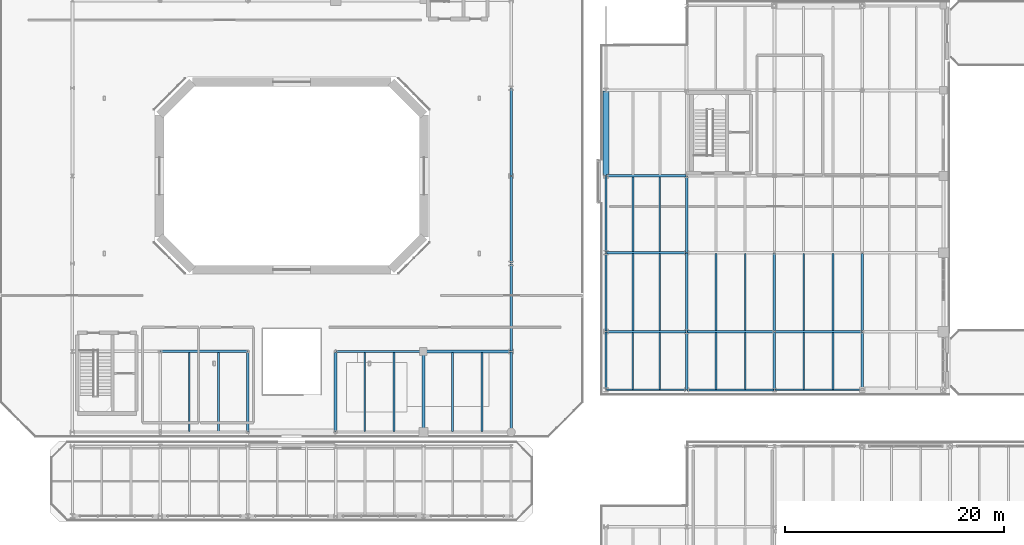
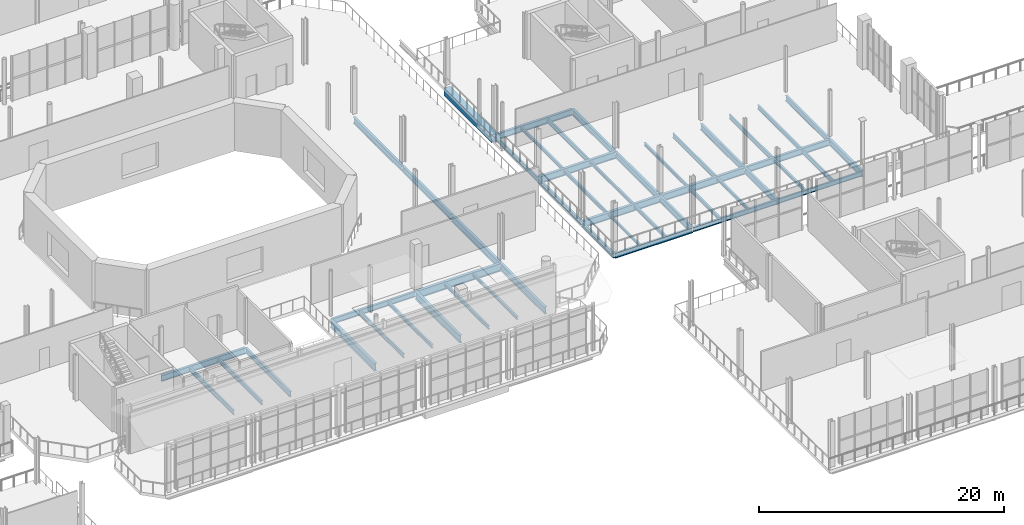
# One storey, part 40 of 93: 49 beams.
"""IFC4 building model written with IfcOpenShell, lengths in metres."""

from ifc_helpers import new_model, si_unit, direction, frame, origin, origin_2d, place, context, subcontext, project, spatial, rectangle, i_section, extrude, material, material_profile, profile_set, type_object, element, save


model = new_model("IFC4")

# Units and contexts
model_context = context("Model", 3, precision=1e-05, world=origin(), true_north=direction((0.0, 1.0)))
body_context = subcontext(model_context, "Body", "Model", "MODEL_VIEW")
ifc_project = project(units=[si_unit("LENGTHUNIT", "METRE"), si_unit("AREAUNIT", "SQUARE_METRE"), si_unit("VOLUMEUNIT", "CUBIC_METRE"), si_unit("PLANEANGLEUNIT", "RADIAN"), si_unit("MASSUNIT", "GRAM", prefix="KILO")], contexts=[model_context])

# Site, building, storey
site_placement = place(None, origin())
site = spatial("IfcSite", under=ifc_project, at=site_placement, CompositionType="ELEMENT")
building_placement = place(site_placement, origin())
building = spatial("IfcBuilding", under=site, at=building_placement, Name="Brisemont Oceanarium", CompositionType="ELEMENT")
storey_placement = place(building_placement, frame((0.0, 0.0, 5.39990234375)))
storey = spatial("IfcBuildingStorey", under=building, at=storey_placement, Name="L01", CompositionType="ELEMENT", Elevation=5.39990234375)

# Beams
ifc_material_1 = material(Name="Concrete C40/50", Category="concrete")
ifc_material_profile_1 = material_profile(ifc_material_1, rectangle(XDim=0.550048828125, YDim=0.800048828125, at=origin_2d()), Name="RC-BM-550X800")
ifc_profile_set_1 = profile_set([ifc_material_profile_1], Name="Concrete C40/50")
beam_type_1 = type_object("IfcBeamType", Name="BM-RC550X800", PredefinedType="SPANDREL", material=ifc_profile_set_1)
beam_1_placement = place(storey_placement, frame((112.64990234375, 56.0400390625, -0.699951171875), z_axis=(0.0, 1.0, 0.0), x_axis=(-1.0, 0.0, 0.0)))
element("IfcBeam", 1, at=beam_1_placement, inside=storey, type_object=beam_type_1, Name="V5E L01 NS girder", PredefinedType="SPANDREL", context=body_context, shape_type="SweptSolid", body=[
    extrude(rectangle(XDim=0.550048828125, YDim=0.800048828125, at=origin_2d()), origin(), (0.0, 0.0, 1.0), 7.719970703125),
])
ifc_material_2 = material(Name="Structural Steel ASTM A992 Gr.50", Category="steel")
ifc_material_profile_2 = material_profile(ifc_material_2, i_section(OverallWidth=0.14599609375, OverallDepth=0.259033203125, WebThickness=0.006103515625, FlangeThickness=0.009033203125, FilletRadius=0.008056640625, at=origin_2d()), Name="W10X22")
ifc_profile_set_2 = profile_set([ifc_material_profile_2], Name="Structural Steel ASTM A992 Gr.50")
beam_type_2 = type_object("IfcBeamType", Name="BM-W10X22", PredefinedType="LINTEL", material=ifc_profile_set_2)
beam_2_placement = place(storey_placement, frame((115.10009765625, 36.5400390625, -0.429443359375), z_axis=(0.0, 1.0, 0.0), x_axis=(-1.0, 0.0, 0.0)))
element("IfcBeam", 2, at=beam_2_placement, inside=storey, type_object=beam_type_2, Name="V5E L01 secondary floor beam", PredefinedType="LINTEL", context=body_context, shape_type="SweptSolid", body=[
    extrude(i_section(OverallWidth=0.14599609375, OverallDepth=0.259033203125, WebThickness=0.006103515625, FlangeThickness=0.009033203125, FilletRadius=0.008056640625, at=origin_2d()), origin(), (0.0, 0.0, 1.0), 5.169921875),
])
ifc_material_3 = material(Name="Structural Steel ASTM A992 Gr.50", Category="steel")
ifc_material_profile_3 = material_profile(ifc_material_3, i_section(OverallWidth=0.1650390625, OverallDepth=0.31005859375, WebThickness=0.005859375, FlangeThickness=0.009765625, FilletRadius=0.008056640625, at=origin_2d()), Name="W12X26")
ifc_profile_set_3 = profile_set([ifc_material_profile_3], Name="Structural Steel ASTM A992 Gr.50")
beam_type_3 = type_object("IfcBeamType", Name="BM-W12X26", PredefinedType="JOIST", material=ifc_profile_set_3)
beam_3_placement = place(storey_placement, frame((101.333251953125, 32.68994140625, -0.494873046875), z_axis=(0.0, 1.0, 0.0), x_axis=(-1.0, 0.0, 0.0)))
element("IfcBeam", 3, at=beam_3_placement, inside=storey, type_object=beam_type_3, Name="V1 L01 secondary floor beam", PredefinedType="JOIST", context=body_context, shape_type="SweptSolid", body=[
    extrude(i_section(OverallWidth=0.1650390625, OverallDepth=0.31005859375, WebThickness=0.005859375, FlangeThickness=0.009765625, FilletRadius=0.008056640625, at=origin_2d()), origin(), (0.0, 0.0, 1.0), 7.219970703125),
])
beam_4_placement = place(storey_placement, frame((117.550048828125, 41.889892578125, -0.454833984375), z_axis=(0.0, 1.0, 0.0), x_axis=(-1.0, 0.0, 0.0)))
element("IfcBeam", 4, at=beam_4_placement, inside=storey, type_object=beam_type_3, Name="V5E L01 secondary floor beam", PredefinedType="JOIST", context=body_context, shape_type="SweptSolid", body=[
    extrude(i_section(OverallWidth=0.1650390625, OverallDepth=0.31005859375, WebThickness=0.005859375, FlangeThickness=0.009765625, FilletRadius=0.008056640625, at=origin_2d()), origin(), (0.0, 0.0, 1.0), 7.02001953125),
])
beam_5_placement = place(storey_placement, frame((115.10009765625, 49.090087890625, -0.454833984375), z_axis=(0.0, 1.0, 0.0), x_axis=(-1.0, 0.0, 0.0)))
element("IfcBeam", 5, at=beam_5_placement, inside=storey, type_object=beam_type_3, Name="V5E L01 secondary floor beam", PredefinedType="JOIST", context=body_context, shape_type="SweptSolid", body=[
    extrude(i_section(OverallWidth=0.1650390625, OverallDepth=0.31005859375, WebThickness=0.005859375, FlangeThickness=0.009765625, FilletRadius=0.008056640625, at=origin_2d()), origin(), (0.0, 0.0, 1.0), 6.81982421875),
])
beam_6_placement = place(storey_placement, frame((125.333251953125, 36.5400390625, -0.454833984375), z_axis=(0.0, 1.0, 0.0), x_axis=(-1.0, 0.0, 0.0)))
element("IfcBeam", 6, at=beam_6_placement, inside=storey, type_object=beam_type_3, Name="V5E L01 secondary floor beam", PredefinedType="JOIST", context=body_context, shape_type="SweptSolid", body=[
    extrude(i_section(OverallWidth=0.1650390625, OverallDepth=0.31005859375, WebThickness=0.005859375, FlangeThickness=0.009765625, FilletRadius=0.008056640625, at=origin_2d()), origin(), (0.0, 0.0, 1.0), 5.169921875),
])
beam_7_placement = place(storey_placement, frame((122.666748046875, 41.889892578125, -0.454833984375), z_axis=(0.0, 1.0, 0.0), x_axis=(-1.0, 0.0, 0.0)))
element("IfcBeam", 7, at=beam_7_placement, inside=storey, type_object=beam_type_3, Name="V5E L01 secondary floor beam", PredefinedType="JOIST", context=body_context, shape_type="SweptSolid", body=[
    extrude(i_section(OverallWidth=0.1650390625, OverallDepth=0.31005859375, WebThickness=0.005859375, FlangeThickness=0.009765625, FilletRadius=0.008056640625, at=origin_2d()), origin(), (0.0, 0.0, 1.0), 7.02001953125),
])
beam_8_placement = place(storey_placement, frame((130.666748046875, 36.5400390625, -0.454833984375), z_axis=(0.0, 1.0, 0.0), x_axis=(-1.0, 0.0, 0.0)))
element("IfcBeam", 8, at=beam_8_placement, inside=storey, type_object=beam_type_3, Name="V5E L01 secondary floor beam", PredefinedType="JOIST", context=body_context, shape_type="SweptSolid", body=[
    extrude(i_section(OverallWidth=0.1650390625, OverallDepth=0.31005859375, WebThickness=0.005859375, FlangeThickness=0.009765625, FilletRadius=0.008056640625, at=origin_2d()), origin(), (0.0, 0.0, 1.0), 5.169921875),
])
ifc_material_4 = material(Name="Structural Steel ASTM A992 Gr.50", Category="steel")
ifc_material_profile_4 = material_profile(ifc_material_4, i_section(OverallWidth=0.1708984375, OverallDepth=0.35107421875, WebThickness=0.0068359375, FlangeThickness=0.009765625, FilletRadius=0.010009765625, at=origin_2d()), Name="W14X30")
ifc_profile_set_4 = profile_set([ifc_material_profile_4], Name="Structural Steel ASTM A992 Gr.50")
beam_type_4 = type_object("IfcBeamType", Name="BM-W14X30", PredefinedType="JOIST", material=ifc_profile_set_4)
for number, where, z_axis, x_axis, name in (
    (9, (93.333251953125, 32.68994140625, -0.515380859375), (0.0, 1.0, 0.0), (-1.0, 0.0, 0.0), "V1 L01 secondary floor beam"),
    (10, (98.666748046875, 32.68994140625, -0.515380859375), (0.0, 1.0, 0.0), (-1.0, 0.0, 0.0), "V1 L01 secondary floor beam"),
):
    element("IfcBeam", number, at=place(storey_placement, frame(where, z_axis=z_axis, x_axis=x_axis)), inside=storey, type_object=beam_type_4, Name=name, PredefinedType="JOIST", context=body_context, shape_type="SweptSolid", body=[
        extrude(i_section(OverallWidth=0.1708984375, OverallDepth=0.35107421875, WebThickness=0.0068359375, FlangeThickness=0.009765625, FilletRadius=0.010009765625, at=origin_2d()), origin(), (0.0, 0.0, 1.0), 7.219970703125),
    ])
beam_9_placement = place(storey_placement, frame((117.550048828125, 36.5400390625, -0.475341796875), z_axis=(0.0, 1.0, 0.0), x_axis=(-1.0, 0.0, 0.0)))
element("IfcBeam", 11, at=beam_9_placement, inside=storey, type_object=beam_type_4, Name="V5E L01 secondary floor beam", PredefinedType="JOIST", context=body_context, shape_type="SweptSolid", body=[
    extrude(i_section(OverallWidth=0.1708984375, OverallDepth=0.35107421875, WebThickness=0.0068359375, FlangeThickness=0.009765625, FilletRadius=0.010009765625, at=origin_2d()), origin(), (0.0, 0.0, 1.0), 5.169921875),
])
beam_10_placement = place(storey_placement, frame((115.10009765625, 41.889892578125, -0.475341796875), z_axis=(0.0, 1.0, 0.0), x_axis=(-1.0, 0.0, 0.0)))
element("IfcBeam", 12, at=beam_10_placement, inside=storey, type_object=beam_type_4, Name="V5E L01 secondary floor beam", PredefinedType="JOIST", context=body_context, shape_type="SweptSolid", body=[
    extrude(i_section(OverallWidth=0.1708984375, OverallDepth=0.35107421875, WebThickness=0.0068359375, FlangeThickness=0.009765625, FilletRadius=0.010009765625, at=origin_2d()), origin(), (0.0, 0.0, 1.0), 7.02001953125),
])
beam_11_placement = place(storey_placement, frame((122.666748046875, 36.5400390625, -0.475341796875), z_axis=(0.0, 1.0, 0.0), x_axis=(-1.0, 0.0, 0.0)))
element("IfcBeam", 13, at=beam_11_placement, inside=storey, type_object=beam_type_4, Name="V5E L01 secondary floor beam", PredefinedType="JOIST", context=body_context, shape_type="SweptSolid", body=[
    extrude(i_section(OverallWidth=0.1708984375, OverallDepth=0.35107421875, WebThickness=0.0068359375, FlangeThickness=0.009765625, FilletRadius=0.010009765625, at=origin_2d()), origin(), (0.0, 0.0, 1.0), 5.169921875),
])
ifc_material_5 = material(Name="Structural Steel ASTM A992 Gr.50", Category="steel")
ifc_material_profile_5 = material_profile(ifc_material_5, i_section(OverallWidth=0.139892578125, OverallDepth=0.39892578125, WebThickness=0.00634765625, FlangeThickness=0.0087890625, FilletRadius=0.010009765625, at=origin_2d()), Name="W16X26")
ifc_profile_set_5 = profile_set([ifc_material_profile_5], Name="Structural Steel ASTM A992 Gr.50")
beam_type_5 = type_object("IfcBeamType", Name="BM-W16X26", PredefinedType="JOIST", material=ifc_profile_set_5)
beam_12_placement = place(storey_placement, frame((90.666748046875, 32.68994140625, -0.539306640625), z_axis=(0.0, 1.0, 0.0), x_axis=(-1.0, 0.0, 0.0)))
element("IfcBeam", 14, at=beam_12_placement, inside=storey, type_object=beam_type_5, Name="V1 L01 secondary floor beam", PredefinedType="JOIST", context=body_context, shape_type="SweptSolid", body=[
    extrude(i_section(OverallWidth=0.139892578125, OverallDepth=0.39892578125, WebThickness=0.00634765625, FlangeThickness=0.0087890625, FilletRadius=0.010009765625, at=origin_2d()), origin(), (0.0, 0.0, 1.0), 7.219970703125),
])
ifc_material_6 = material(Name="Structural Steel ASTM A992 Gr.50", Category="steel")
ifc_material_profile_6 = material_profile(ifc_material_6, i_section(OverallWidth=0.177978515625, OverallDepth=0.404052734375, WebThickness=0.007568359375, FlangeThickness=0.010986328125, FilletRadius=0.010009765625, at=origin_2d()), Name="W16X36")
ifc_profile_set_6 = profile_set([ifc_material_profile_6], Name="Structural Steel ASTM A992 Gr.50")
beam_type_6 = type_object("IfcBeamType", Name="BM-W16X36", PredefinedType="JOIST", material=ifc_profile_set_6)
beam_13_placement = place(storey_placement, frame((77.333251953125, 32.68994140625, -0.5419921875), z_axis=(0.0, 1.0, 0.0), x_axis=(-1.0, 0.0, 0.0)))
element("IfcBeam", 15, at=beam_13_placement, inside=storey, type_object=beam_type_6, Name="V1 L01 secondary floor beam", PredefinedType="JOIST", context=body_context, shape_type="SweptSolid", body=[
    extrude(i_section(OverallWidth=0.177978515625, OverallDepth=0.404052734375, WebThickness=0.007568359375, FlangeThickness=0.010986328125, FilletRadius=0.010009765625, at=origin_2d()), origin(), (0.0, 0.0, 1.0), 7.219970703125),
])
beam_14_placement = place(storey_placement, frame((133.333251953125, 41.889892578125, -0.501953125), z_axis=(0.0, 1.0, 0.0), x_axis=(-1.0, 0.0, 0.0)))
element("IfcBeam", 16, at=beam_14_placement, inside=storey, type_object=beam_type_6, Name="V5E L01 secondary floor beam", PredefinedType="JOIST", context=body_context, shape_type="SweptSolid", body=[
    extrude(i_section(OverallWidth=0.177978515625, OverallDepth=0.404052734375, WebThickness=0.007568359375, FlangeThickness=0.010986328125, FilletRadius=0.010009765625, at=origin_2d()), origin(), (0.0, 0.0, 1.0), 7.02001953125),
])
ifc_material_7 = material(Name="Structural Steel ASTM A992 Gr.50", Category="steel")
ifc_material_profile_7 = material_profile(ifc_material_7, i_section(OverallWidth=0.153076171875, OverallDepth=0.455078125, WebThickness=0.008056640625, FlangeThickness=0.01318359375, FilletRadius=0.010986328125, at=origin_2d()), Name="W18X40")
ifc_profile_set_7 = profile_set([ifc_material_profile_7], Name="Structural Steel ASTM A992 Gr.50")
beam_type_7 = type_object("IfcBeamType", Name="BM-W18X40", PredefinedType="JOIST", material=ifc_profile_set_7)
beam_15_placement = place(storey_placement, frame((74.666748046875, 32.68994140625, -0.5673828125), z_axis=(0.0, 1.0, 0.0), x_axis=(-1.0, 0.0, 0.0)))
element("IfcBeam", 17, at=beam_15_placement, inside=storey, type_object=beam_type_7, Name="V1 L01 secondary floor beam", PredefinedType="JOIST", context=body_context, shape_type="SweptSolid", body=[
    extrude(i_section(OverallWidth=0.153076171875, OverallDepth=0.455078125, WebThickness=0.008056640625, FlangeThickness=0.01318359375, FilletRadius=0.010986328125, at=origin_2d()), origin(), (0.0, 0.0, 1.0), 7.219970703125),
])
beam_16_placement = place(storey_placement, frame((117.550048828125, 49.090087890625, -0.52734375), z_axis=(0.0, 1.0, 0.0), x_axis=(-1.0, 0.0, 0.0)))
element("IfcBeam", 18, at=beam_16_placement, inside=storey, type_object=beam_type_7, Name="V5E L01 secondary floor beam", PredefinedType="JOIST", context=body_context, shape_type="SweptSolid", body=[
    extrude(i_section(OverallWidth=0.153076171875, OverallDepth=0.455078125, WebThickness=0.008056640625, FlangeThickness=0.01318359375, FilletRadius=0.010986328125, at=origin_2d()), origin(), (0.0, 0.0, 1.0), 6.81982421875),
])
beam_17_placement = place(storey_placement, frame((125.333251953125, 41.889892578125, -0.52734375), z_axis=(0.0, 1.0, 0.0), x_axis=(-1.0, 0.0, 0.0)))
element("IfcBeam", 19, at=beam_17_placement, inside=storey, type_object=beam_type_7, Name="V5E L01 secondary floor beam", PredefinedType="JOIST", context=body_context, shape_type="SweptSolid", body=[
    extrude(i_section(OverallWidth=0.153076171875, OverallDepth=0.455078125, WebThickness=0.008056640625, FlangeThickness=0.01318359375, FilletRadius=0.010986328125, at=origin_2d()), origin(), (0.0, 0.0, 1.0), 7.02001953125),
])
beam_18_placement = place(storey_placement, frame((133.333251953125, 36.5400390625, -0.52734375), z_axis=(0.0, 1.0, 0.0), x_axis=(-1.0, 0.0, 0.0)))
element("IfcBeam", 20, at=beam_18_placement, inside=storey, type_object=beam_type_7, Name="V5E L01 secondary floor beam", PredefinedType="JOIST", context=body_context, shape_type="SweptSolid", body=[
    extrude(i_section(OverallWidth=0.153076171875, OverallDepth=0.455078125, WebThickness=0.008056640625, FlangeThickness=0.01318359375, FilletRadius=0.010986328125, at=origin_2d()), origin(), (0.0, 0.0, 1.0), 5.169921875),
])
beam_19_placement = place(storey_placement, frame((130.666748046875, 41.889892578125, -0.52734375), z_axis=(0.0, 1.0, 0.0), x_axis=(-1.0, 0.0, 0.0)))
element("IfcBeam", 21, at=beam_19_placement, inside=storey, type_object=beam_type_7, Name="V5E L01 secondary floor beam", PredefinedType="JOIST", context=body_context, shape_type="SweptSolid", body=[
    extrude(i_section(OverallWidth=0.153076171875, OverallDepth=0.455078125, WebThickness=0.008056640625, FlangeThickness=0.01318359375, FilletRadius=0.010986328125, at=origin_2d()), origin(), (0.0, 0.0, 1.0), 7.02001953125),
])
ifc_material_8 = material(Name="Structural Steel ASTM A992 Gr.50", Category="steel")
ifc_material_profile_8 = material_profile(ifc_material_8, i_section(OverallWidth=0.154052734375, OverallDepth=0.458984375, WebThickness=0.009033203125, FlangeThickness=0.015380859375, FilletRadius=0.010986328125, at=origin_2d()), Name="W18X46")
ifc_profile_set_8 = profile_set([ifc_material_profile_8], Name="Structural Steel ASTM A992 Gr.50")
beam_type_8 = type_object("IfcBeamType", Name="BM-W18X46", PredefinedType="SPANDREL", material=ifc_profile_set_8)
beam_20_placement = place(storey_placement, frame((128.0400390625, 36.5, -0.529296875), z_axis=(1.0, 0.0, 0.0), x_axis=(0.0, 1.0, 0.0)))
element("IfcBeam", 22, at=beam_20_placement, inside=storey, type_object=beam_type_8, Name="V5E L01 EW girder", PredefinedType="SPANDREL", context=body_context, shape_type="SweptSolid", body=[
    extrude(i_section(OverallWidth=0.154052734375, OverallDepth=0.458984375, WebThickness=0.009033203125, FlangeThickness=0.015380859375, FilletRadius=0.010986328125, at=origin_2d()), origin(), (0.0, 0.0, 1.0), 7.919921875),
])
beam_21_placement = place(storey_placement, frame((112.64990234375, 49.0400390625, -0.529296875), z_axis=(0.0, 1.0, 0.0), x_axis=(-1.0, 0.0, 0.0)))
element("IfcBeam", 23, at=beam_21_placement, inside=storey, type_object=beam_type_8, Name="V5E L01 NS girder", PredefinedType="SPANDREL", context=body_context, shape_type="SweptSolid", body=[
    extrude(i_section(OverallWidth=0.154052734375, OverallDepth=0.458984375, WebThickness=0.009033203125, FlangeThickness=0.015380859375, FilletRadius=0.010986328125, at=origin_2d()), origin(), (0.0, 0.0, 1.0), 6.919921875),
])
ifc_material_9 = material(Name="Structural Steel ASTM A992 Gr.50", Category="steel")
ifc_material_profile_9 = material_profile(ifc_material_9, i_section(OverallWidth=0.19091796875, OverallDepth=0.4599609375, WebThickness=0.010009765625, FlangeThickness=0.01611328125, FilletRadius=0.010986328125, at=origin_2d()), Name="W18X55")
ifc_profile_set_9 = profile_set([ifc_material_profile_9], Name="Structural Steel ASTM A992 Gr.50")
beam_type_9 = type_object("IfcBeamType", Name="BM-W18X55", PredefinedType="SPANDREL", material=ifc_profile_set_9)
beam_22_placement = place(storey_placement, frame((120.0400390625, 36.5, -0.52978515625), z_axis=(1.0, 0.0, 0.0), x_axis=(0.0, 1.0, 0.0)))
element("IfcBeam", 24, at=beam_22_placement, inside=storey, type_object=beam_type_9, Name="V5E L01 EW girder", PredefinedType="SPANDREL", context=body_context, shape_type="SweptSolid", body=[
    extrude(i_section(OverallWidth=0.19091796875, OverallDepth=0.4599609375, WebThickness=0.010009765625, FlangeThickness=0.01611328125, FilletRadius=0.010986328125, at=origin_2d()), origin(), (0.0, 0.0, 1.0), 7.919921875),
])
beam_23_placement = place(storey_placement, frame((112.64990234375, 41.840087890625, -0.52978515625), z_axis=(0.0, 1.0, 0.0), x_axis=(-1.0, 0.0, 0.0)))
element("IfcBeam", 25, at=beam_23_placement, inside=storey, type_object=beam_type_9, Name="V5E L01 NS girder", PredefinedType="SPANDREL", context=body_context, shape_type="SweptSolid", body=[
    extrude(i_section(OverallWidth=0.19091796875, OverallDepth=0.4599609375, WebThickness=0.010009765625, FlangeThickness=0.01611328125, FilletRadius=0.010986328125, at=origin_2d()), origin(), (0.0, 0.0, 1.0), 7.119873046875),
])
ifc_material_10 = material(Name="Structural Steel ASTM A992 Gr.50", Category="steel")
ifc_material_profile_10 = material_profile(ifc_material_10, i_section(OverallWidth=0.166015625, OverallDepth=0.528076171875, WebThickness=0.009765625, FlangeThickness=0.013671875, FilletRadius=0.012939453125, at=origin_2d()), Name="W21X50")
ifc_profile_set_10 = profile_set([ifc_material_profile_10], Name="Structural Steel ASTM A992 Gr.50")
beam_type_10 = type_object("IfcBeamType", Name="BM-W21X50", PredefinedType="SPANDREL", material=ifc_profile_set_10)
beam_24_placement = place(storey_placement, frame((112.68994140625, 36.5, -0.56396484375), z_axis=(1.0, 0.0, 0.0), x_axis=(0.0, 1.0, 0.0)))
element("IfcBeam", 26, at=beam_24_placement, inside=storey, type_object=beam_type_10, Name="V5E L01 EW girder", PredefinedType="SPANDREL", context=body_context, shape_type="SweptSolid", body=[
    extrude(i_section(OverallWidth=0.166015625, OverallDepth=0.528076171875, WebThickness=0.009765625, FlangeThickness=0.013671875, FilletRadius=0.012939453125, at=origin_2d()), origin(), (0.0, 0.0, 1.0), 7.27001953125),
])
beam_25_placement = place(storey_placement, frame((112.64990234375, 36.5400390625, -0.56396484375), z_axis=(0.0, 1.0, 0.0), x_axis=(-1.0, 0.0, 0.0)))
element("IfcBeam", 27, at=beam_25_placement, inside=storey, type_object=beam_type_10, Name="V5E L01 NS girder", PredefinedType="SPANDREL", context=body_context, shape_type="SweptSolid", body=[
    extrude(i_section(OverallWidth=0.166015625, OverallDepth=0.528076171875, WebThickness=0.009765625, FlangeThickness=0.013671875, FilletRadius=0.012939453125, at=origin_2d()), origin(), (0.0, 0.0, 1.0), 5.219970703125),
])
ifc_material_11 = material(Name="Structural Steel ASTM A992 Gr.50", Category="steel")
ifc_material_profile_11 = material_profile(ifc_material_11, i_section(OverallWidth=0.2099609375, OverallDepth=0.532958984375, WebThickness=0.01025390625, FlangeThickness=0.015625, FilletRadius=0.012939453125, at=origin_2d()), Name="W21X62")
ifc_profile_set_11 = profile_set([ifc_material_profile_11], Name="Structural Steel ASTM A992 Gr.50")
beam_type_11 = type_object("IfcBeamType", Name="BM-W21X62", PredefinedType="BEAM", material=ifc_profile_set_11)
beam_26_placement = place(storey_placement, frame((88.0400390625, 40.0, -0.6064453125), z_axis=(1.0, 0.0, 0.0), x_axis=(0.0, 1.0, 0.0)))
element("IfcBeam", 28, at=beam_26_placement, inside=storey, type_object=beam_type_11, Name="V1 L01 EW girder", PredefinedType="BEAM", context=body_context, shape_type="SweptSolid", body=[
    extrude(i_section(OverallWidth=0.2099609375, OverallDepth=0.532958984375, WebThickness=0.01025390625, FlangeThickness=0.015625, FilletRadius=0.012939453125, at=origin_2d()), origin(), (0.0, 0.0, 1.0), 7.919921875),
])
beam_27_placement = place(storey_placement, frame((80.0, 32.68994140625, -0.6064453125), z_axis=(0.0, 1.0, 0.0), x_axis=(-1.0, 0.0, 0.0)))
element("IfcBeam", 29, at=beam_27_placement, inside=storey, type_object=beam_type_11, Name="V1 L01 NS girder", PredefinedType="BEAM", context=body_context, shape_type="SweptSolid", body=[
    extrude(i_section(OverallWidth=0.2099609375, OverallDepth=0.532958984375, WebThickness=0.01025390625, FlangeThickness=0.015625, FilletRadius=0.012939453125, at=origin_2d()), origin(), (0.0, 0.0, 1.0), 7.27001953125),
])
beam_28_placement = place(storey_placement, frame((136.0, 41.840087890625, -0.56640625), z_axis=(0.0, 1.0, 0.0), x_axis=(-1.0, 0.0, 0.0)))
element("IfcBeam", 30, at=beam_28_placement, inside=storey, type_object=beam_type_11, Name="V5E L01 NS girder", PredefinedType="BEAM", context=body_context, shape_type="SweptSolid", body=[
    extrude(i_section(OverallWidth=0.2099609375, OverallDepth=0.532958984375, WebThickness=0.01025390625, FlangeThickness=0.015625, FilletRadius=0.012939453125, at=origin_2d()), origin(), (0.0, 0.0, 1.0), 7.119873046875),
])
ifc_material_12 = material(Name="Structural Steel ASTM A992 Gr.50", Category="steel")
ifc_material_profile_12 = material_profile(ifc_material_12, i_section(OverallWidth=0.22802734375, OverallDepth=0.60205078125, WebThickness=0.010498046875, FlangeThickness=0.014892578125, FilletRadius=0.012939453125, at=origin_2d()), Name="W24X68")
ifc_profile_set_12 = profile_set([ifc_material_profile_12], Name="Structural Steel ASTM A992 Gr.50")
beam_type_12 = type_object("IfcBeamType", Name="BM-W24X68", PredefinedType="BEAM", material=ifc_profile_set_12)
beam_29_placement = place(storey_placement, frame((120.0, 49.0400390625, -0.600830078125), z_axis=(0.0, 1.0, 0.0), x_axis=(-1.0, 0.0, 0.0)))
element("IfcBeam", 31, at=beam_29_placement, inside=storey, type_object=beam_type_12, Name="V5E L01 NS girder", PredefinedType="BEAM", context=body_context, shape_type="SweptSolid", body=[
    extrude(i_section(OverallWidth=0.22802734375, OverallDepth=0.60205078125, WebThickness=0.010498046875, FlangeThickness=0.014892578125, FilletRadius=0.012939453125, at=origin_2d()), origin(), (0.0, 0.0, 1.0), 6.919921875),
])
beam_30_placement = place(storey_placement, frame((128.0, 41.840087890625, -0.600830078125), z_axis=(0.0, 1.0, 0.0), x_axis=(-1.0, 0.0, 0.0)))
element("IfcBeam", 32, at=beam_30_placement, inside=storey, type_object=beam_type_12, Name="V5E L01 NS girder", PredefinedType="BEAM", context=body_context, shape_type="SweptSolid", body=[
    extrude(i_section(OverallWidth=0.22802734375, OverallDepth=0.60205078125, WebThickness=0.010498046875, FlangeThickness=0.014892578125, FilletRadius=0.012939453125, at=origin_2d()), origin(), (0.0, 0.0, 1.0), 7.119873046875),
])
beam_31_placement = place(storey_placement, frame((136.0, 36.5400390625, -0.600830078125), z_axis=(0.0, 1.0, 0.0), x_axis=(-1.0, 0.0, 0.0)))
element("IfcBeam", 33, at=beam_31_placement, inside=storey, type_object=beam_type_12, Name="V5E L01 NS girder", PredefinedType="BEAM", context=body_context, shape_type="SweptSolid", body=[
    extrude(i_section(OverallWidth=0.22802734375, OverallDepth=0.60205078125, WebThickness=0.010498046875, FlangeThickness=0.014892578125, FilletRadius=0.012939453125, at=origin_2d()), origin(), (0.0, 0.0, 1.0), 5.219970703125),
])
ifc_material_13 = material(Name="Structural Steel ASTM A992 Gr.50", Category="steel")
ifc_material_profile_13 = material_profile(ifc_material_13, i_section(OverallWidth=0.22802734375, OverallDepth=0.60791015625, WebThickness=0.01123046875, FlangeThickness=0.017333984375, FilletRadius=0.012939453125, at=origin_2d()), Name="W24X76")
ifc_profile_set_13 = profile_set([ifc_material_profile_13], Name="Structural Steel ASTM A992 Gr.50")
beam_type_13 = type_object("IfcBeamType", Name="BM-W24X76", PredefinedType="BEAM", material=ifc_profile_set_13)
for number, where, z_axis, x_axis, name in (
    (34, (72.0400390625, 40.0, -0.643798828125), (1.0, 0.0, 0.0), (0.0, 1.0, 0.0), "V1 L01 EW girder"),
    (35, (104.0, 56.0400390625, -0.643798828125), (0.0, 1.0, 0.0), (-1.0, 0.0, 0.0), "V1 L01 NS girder"),
):
    element("IfcBeam", number, at=place(storey_placement, frame(where, z_axis=z_axis, x_axis=x_axis)), inside=storey, type_object=beam_type_13, Name=name, PredefinedType="BEAM", context=body_context, shape_type="SweptSolid", body=[
        extrude(i_section(OverallWidth=0.22802734375, OverallDepth=0.60791015625, WebThickness=0.01123046875, FlangeThickness=0.017333984375, FilletRadius=0.012939453125, at=origin_2d()), origin(), (0.0, 0.0, 1.0), 7.919921875),
    ])
beam_32_placement = place(storey_placement, frame((120.0, 41.840087890625, -0.60400390625), z_axis=(0.0, 1.0, 0.0), x_axis=(-1.0, 0.0, 0.0)))
element("IfcBeam", 36, at=beam_32_placement, inside=storey, type_object=beam_type_13, Name="V5E L01 NS girder", PredefinedType="BEAM", context=body_context, shape_type="SweptSolid", body=[
    extrude(i_section(OverallWidth=0.22802734375, OverallDepth=0.60791015625, WebThickness=0.01123046875, FlangeThickness=0.017333984375, FilletRadius=0.012939453125, at=origin_2d()), origin(), (0.0, 0.0, 1.0), 7.119873046875),
])
beam_33_placement = place(storey_placement, frame((128.0, 36.5400390625, -0.60400390625), z_axis=(0.0, 1.0, 0.0), x_axis=(-1.0, 0.0, 0.0)))
element("IfcBeam", 37, at=beam_33_placement, inside=storey, type_object=beam_type_13, Name="V5E L01 NS girder", PredefinedType="BEAM", context=body_context, shape_type="SweptSolid", body=[
    extrude(i_section(OverallWidth=0.22802734375, OverallDepth=0.60791015625, WebThickness=0.01123046875, FlangeThickness=0.017333984375, FilletRadius=0.012939453125, at=origin_2d()), origin(), (0.0, 0.0, 1.0), 5.219970703125),
])
ifc_material_14 = material(Name="Structural Steel ASTM A992 Gr.50", Category="steel")
ifc_material_profile_14 = material_profile(ifc_material_14, i_section(OverallWidth=0.22900390625, OverallDepth=0.612060546875, WebThickness=0.011962890625, FlangeThickness=0.01953125, FilletRadius=0.012939453125, at=origin_2d()), Name="W24X84")
ifc_profile_set_14 = profile_set([ifc_material_profile_14], Name="Structural Steel ASTM A992 Gr.50")
beam_type_14 = type_object("IfcBeamType", Name="BM-W24X84", PredefinedType="BEAM", material=ifc_profile_set_14)
for number, where, z_axis, x_axis, name in (
    (38, (104.0, 48.0400390625, -0.64599609375), (0.0, 1.0, 0.0), (-1.0, 0.0, 0.0), "V1 L01 NS girder"),
    (39, (128.0400390625, 41.800048828125, -0.60595703125), (1.0, 0.0, 0.0), (0.0, 1.0, 0.0), "V5E L01 EW girder"),
):
    element("IfcBeam", number, at=place(storey_placement, frame(where, z_axis=z_axis, x_axis=x_axis)), inside=storey, type_object=beam_type_14, Name=name, PredefinedType="BEAM", context=body_context, shape_type="SweptSolid", body=[
        extrude(i_section(OverallWidth=0.22900390625, OverallDepth=0.612060546875, WebThickness=0.011962890625, FlangeThickness=0.01953125, FilletRadius=0.012939453125, at=origin_2d()), origin(), (0.0, 0.0, 1.0), 7.919921875),
    ])
beam_34_placement = place(storey_placement, frame((112.68994140625, 56.0, -0.60595703125), z_axis=(1.0, 0.0, 0.0), x_axis=(0.0, 1.0, 0.0)))
element("IfcBeam", 40, at=beam_34_placement, inside=storey, type_object=beam_type_14, Name="V5E L01 EW girder", PredefinedType="BEAM", context=body_context, shape_type="SweptSolid", body=[
    extrude(i_section(OverallWidth=0.22900390625, OverallDepth=0.612060546875, WebThickness=0.011962890625, FlangeThickness=0.01953125, FilletRadius=0.012939453125, at=origin_2d()), origin(), (0.0, 0.0, 1.0), 7.27001953125),
])
beam_35_placement = place(storey_placement, frame((120.0, 36.5400390625, -0.60595703125), z_axis=(0.0, 1.0, 0.0), x_axis=(-1.0, 0.0, 0.0)))
element("IfcBeam", 41, at=beam_35_placement, inside=storey, type_object=beam_type_14, Name="V5E L01 NS girder", PredefinedType="BEAM", context=body_context, shape_type="SweptSolid", body=[
    extrude(i_section(OverallWidth=0.22900390625, OverallDepth=0.612060546875, WebThickness=0.011962890625, FlangeThickness=0.01953125, FilletRadius=0.012939453125, at=origin_2d()), origin(), (0.0, 0.0, 1.0), 5.219970703125),
])
ifc_material_15 = material(Name="Structural Steel ASTM A992 Gr.50", Category="steel")
ifc_material_profile_15 = material_profile(ifc_material_15, i_section(OverallWidth=0.2529296875, OverallDepth=0.677978515625, WebThickness=0.01171875, FlangeThickness=0.016357421875, FilletRadius=0.014892578125, at=origin_2d()), Name="W27X84")
ifc_profile_set_15 = profile_set([ifc_material_profile_15], Name="Structural Steel ASTM A992 Gr.50")
beam_type_15 = type_object("IfcBeamType", Name="BM-W27X84", PredefinedType="BEAM", material=ifc_profile_set_15)
for number, where, z_axis, x_axis, name in (
    (42, (104.0, 40.0400390625, -0.678955078125), (0.0, 1.0, 0.0), (-1.0, 0.0, 0.0), "V1 L01 NS girder"),
    (43, (120.0400390625, 41.800048828125, -0.638916015625), (1.0, 0.0, 0.0), (0.0, 1.0, 0.0), "V5E L01 EW girder"),
):
    element("IfcBeam", number, at=place(storey_placement, frame(where, z_axis=z_axis, x_axis=x_axis)), inside=storey, type_object=beam_type_15, Name=name, PredefinedType="BEAM", context=body_context, shape_type="SweptSolid", body=[
        extrude(i_section(OverallWidth=0.2529296875, OverallDepth=0.677978515625, WebThickness=0.01171875, FlangeThickness=0.016357421875, FilletRadius=0.014892578125, at=origin_2d()), origin(), (0.0, 0.0, 1.0), 7.919921875),
    ])
beam_36_placement = place(storey_placement, frame((112.68994140625, 49.0, -0.638916015625), z_axis=(1.0, 0.0, 0.0), x_axis=(0.0, 1.0, 0.0)))
element("IfcBeam", 44, at=beam_36_placement, inside=storey, type_object=beam_type_15, Name="V5E L01 EW girder", PredefinedType="BEAM", context=body_context, shape_type="SweptSolid", body=[
    extrude(i_section(OverallWidth=0.2529296875, OverallDepth=0.677978515625, WebThickness=0.01171875, FlangeThickness=0.016357421875, FilletRadius=0.014892578125, at=origin_2d()), origin(), (0.0, 0.0, 1.0), 7.27001953125),
])
ifc_material_16 = material(Name="Structural Steel ASTM A992 Gr.50", Category="steel")
ifc_material_profile_16 = material_profile(ifc_material_16, i_section(OverallWidth=0.25390625, OverallDepth=0.68310546875, WebThickness=0.012451171875, FlangeThickness=0.018798828125, FilletRadius=0.014892578125, at=origin_2d()), Name="W27X94")
ifc_profile_set_16 = profile_set([ifc_material_profile_16], Name="Structural Steel ASTM A992 Gr.50")
beam_type_16 = type_object("IfcBeamType", Name="BM-W27X94", PredefinedType="BEAM", material=ifc_profile_set_16)
for number, where, z_axis, x_axis, name in (
    (45, (104.0, 32.68994140625, -0.681396484375), (0.0, 1.0, 0.0), (-1.0, 0.0, 0.0), "V1 L01 NS girder"),
    (46, (112.68994140625, 41.800048828125, -0.641357421875), (1.0, 0.0, 0.0), (0.0, 1.0, 0.0), "V5E L01 EW girder"),
):
    element("IfcBeam", number, at=place(storey_placement, frame(where, z_axis=z_axis, x_axis=x_axis)), inside=storey, type_object=beam_type_16, Name=name, PredefinedType="BEAM", context=body_context, shape_type="SweptSolid", body=[
        extrude(i_section(OverallWidth=0.25390625, OverallDepth=0.68310546875, WebThickness=0.012451171875, FlangeThickness=0.018798828125, FilletRadius=0.014892578125, at=origin_2d()), origin(), (0.0, 0.0, 1.0), 7.27001953125),
    ])
ifc_material_17 = material(Name="Structural Steel ASTM A992 Gr.50", Category="steel")
ifc_material_profile_17 = material_profile(ifc_material_17, i_section(OverallWidth=0.26708984375, OverallDepth=0.761962890625, WebThickness=0.014404296875, FlangeThickness=0.021484375, FilletRadius=0.01611328125, at=origin_2d()), Name="W30X116")
ifc_profile_set_17 = profile_set([ifc_material_profile_17], Name="Structural Steel ASTM A992 Gr.50")
beam_type_17 = type_object("IfcBeamType", Name="BM-W30X116", PredefinedType="BEAM", material=ifc_profile_set_17)
beam_37_placement = place(storey_placement, frame((96.0400390625, 40.0, -0.720947265625), z_axis=(1.0, 0.0, 0.0), x_axis=(0.0, 1.0, 0.0)))
element("IfcBeam", 47, at=beam_37_placement, inside=storey, type_object=beam_type_17, Name="V1 L01 EW girder", PredefinedType="BEAM", context=body_context, shape_type="SweptSolid", body=[
    extrude(i_section(OverallWidth=0.26708984375, OverallDepth=0.761962890625, WebThickness=0.014404296875, FlangeThickness=0.021484375, FilletRadius=0.01611328125, at=origin_2d()), origin(), (0.0, 0.0, 1.0), 7.919921875),
])
beam_38_placement = place(storey_placement, frame((88.0, 32.68994140625, -0.720947265625), z_axis=(0.0, 1.0, 0.0), x_axis=(-1.0, 0.0, 0.0)))
element("IfcBeam", 48, at=beam_38_placement, inside=storey, type_object=beam_type_17, Name="V1 L01 NS girder", PredefinedType="BEAM", context=body_context, shape_type="SweptSolid", body=[
    extrude(i_section(OverallWidth=0.26708984375, OverallDepth=0.761962890625, WebThickness=0.014404296875, FlangeThickness=0.021484375, FilletRadius=0.01611328125, at=origin_2d()), origin(), (0.0, 0.0, 1.0), 7.27001953125),
])
ifc_material_18 = material(Name="Structural Steel ASTM A992 Gr.50", Category="steel")
ifc_material_profile_18 = material_profile(ifc_material_18, i_section(OverallWidth=0.264892578125, OverallDepth=0.7529296875, WebThickness=0.01318359375, FlangeThickness=0.01708984375, FilletRadius=0.01611328125, at=origin_2d()), Name="W30X99")
ifc_profile_set_18 = profile_set([ifc_material_profile_18], Name="Structural Steel ASTM A992 Gr.50")
beam_type_18 = type_object("IfcBeamType", Name="BM-W30X99", PredefinedType="BEAM", material=ifc_profile_set_18)
beam_39_placement = place(storey_placement, frame((96.0, 32.68994140625, -0.71630859375), z_axis=(0.0, 1.0, 0.0), x_axis=(-1.0, 0.0, 0.0)))
element("IfcBeam", 49, at=beam_39_placement, inside=storey, type_object=beam_type_18, Name="V1 L01 NS girder", PredefinedType="BEAM", context=body_context, shape_type="SweptSolid", body=[
    extrude(i_section(OverallWidth=0.264892578125, OverallDepth=0.7529296875, WebThickness=0.01318359375, FlangeThickness=0.01708984375, FilletRadius=0.01611328125, at=origin_2d()), origin(), (0.0, 0.0, 1.0), 7.27001953125),
])

save(model, "model.ifc")
